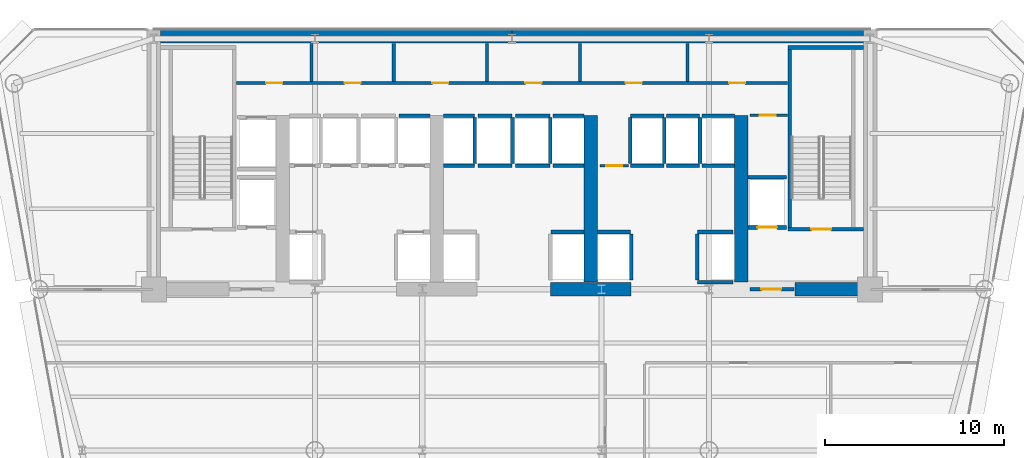
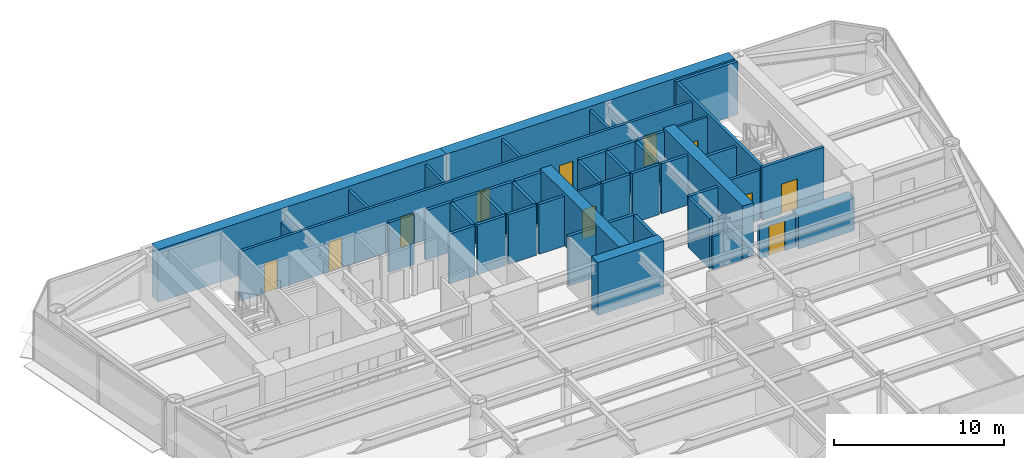
# One storey, part 10 of 15: 47 walls, 11 doors, 11 openings.
"""IFC4 building model written with IfcOpenShell, lengths in metres."""

import ifcopenshell
import ifcopenshell.guid

model = None  # the IFC model being written
_history = None  # IfcOwnerHistory: only IFC2X3 demands one
_inside = {}  # id of a spatial element -> (the spatial element, [elements in it])
_under = {}  # id of a project, library or spatial element -> (it, [spatial elements below it])
_declared = {}  # id of a project -> (the project, [libraries it declares])
_typed = {}  # id of a type object -> (the type object, [elements of that type])
_made_of = {}  # id of a material, layer set ... -> (it, [elements and type objects made of it])


def new_model(schema):
    """Start an empty IFC model of exactly this schema.

    Asked for "IFC4X3", IfcOpenShell would pick the latest addendum, in which some entities
    have other attributes; the version numbers below select the first issue.
    IFC2X3 requires an IfcOwnerHistory on every rooted entity: one is made here for all.
    """
    global model, _history
    if schema == "IFC4X3":
        model = ifcopenshell.file(schema_version=(4, 3, 0, 0))
    else:
        model = ifcopenshell.file(schema=schema)
    _inside.clear()
    _under.clear()
    _declared.clear()
    _typed.clear()
    _made_of.clear()
    _history = None
    if model.schema == "IFC2X3":
        org = make("IfcOrganization", Name="unknown")
        user = make(
            "IfcPersonAndOrganization",
            ThePerson=make("IfcPerson", FamilyName="unknown"),
            TheOrganization=org,
        )
        app = make(
            "IfcApplication",
            ApplicationDeveloper=org,
            Version="unknown",
            ApplicationFullName="unknown",
            ApplicationIdentifier="unknown",
        )
        _history = make(
            "IfcOwnerHistory",
            OwningUser=user,
            OwningApplication=app,
            ChangeAction="ADDED",
            CreationDate=0,
        )
    return model


def make(cls, **values):
    """One entity of the class cls with the attributes given. An attribute that is None is left unset."""
    return model.create_entity(
        cls, **{name: value for name, value in values.items() if value is not None}
    )


def rooted(cls, **values):
    """An entity with a GlobalId (a new one), such as an element, a storey or a relation."""
    return make(cls, GlobalId=ifcopenshell.guid.new(), OwnerHistory=_history, **values)


def si_unit(unit_type, name, prefix=None):
    """IfcSIUnit, for example si_unit("LENGTHUNIT", "METRE", prefix="MILLI")."""
    return make("IfcSIUnit", UnitType=unit_type, Prefix=prefix, Name=name)


def assignment(units):
    """IfcUnitAssignment: the units of a project."""
    return None if units is None else make("IfcUnitAssignment", Units=units)


def point(xyz):
    """IfcCartesianPoint."""
    return None if xyz is None else make("IfcCartesianPoint", Coordinates=xyz)


def direction(xyz):
    """IfcDirection."""
    return None if xyz is None else make("IfcDirection", DirectionRatios=xyz)


def frame(location, z_axis=None, x_axis=None):
    """IfcAxis2Placement3D, a coordinate frame: its origin and axes. An axis left out is left unset."""
    return make(
        "IfcAxis2Placement3D",
        Location=point(location),
        Axis=direction(z_axis),
        RefDirection=direction(x_axis),
    )


def frame_2d(location, x_axis=None):
    """IfcAxis2Placement2D, a coordinate frame in the plane: its origin and x axis."""
    return make(
        "IfcAxis2Placement2D", Location=point(location), RefDirection=direction(x_axis)
    )


def origin():
    """The frame at (0, 0, 0) with its axes left unset."""
    return frame((0.0, 0.0, 0.0))


def place(relative_to, where):
    """IfcLocalPlacement: puts the frame where relative to a parent placement (None: the world)."""
    return make(
        "IfcLocalPlacement", PlacementRelTo=relative_to, RelativePlacement=where
    )


def context(
    kind, dimensions, precision=None, world=None, true_north=None, identifier=None
):
    """IfcGeometricRepresentationContext, for example the 3D "Model" context."""
    return make(
        "IfcGeometricRepresentationContext",
        ContextIdentifier=identifier,
        ContextType=kind,
        CoordinateSpaceDimension=dimensions,
        Precision=precision,
        WorldCoordinateSystem=world,
        TrueNorth=true_north,
    )


def subcontext(parent, identifier, kind, view, scale=None):
    """IfcGeometricRepresentationSubContext, for example "Body" below "Model"."""
    return make(
        "IfcGeometricRepresentationSubContext",
        ContextIdentifier=identifier,
        ContextType=kind,
        ParentContext=parent,
        TargetScale=scale,
        TargetView=view,
    )


def project(units=None, contexts=None):
    """IfcProject with its units and contexts."""
    return rooted(
        "IfcProject",
        Name="project",
        RepresentationContexts=contexts,
        UnitsInContext=assignment(units),
    )


def spatial(cls, under=None, at=None, **own):
    """A site, building, storey or space (cls), placed at a placement, below another one or the project."""
    s = rooted(cls, ObjectPlacement=at, **own)
    if under is not None:
        _under.setdefault(under.id(), (under, []))[1].append(s)
    return s


def profile(cls, at=None, kind="AREA", **sizes):
    """A parametric profile (cls). Its sizes go by their IFC names, for example OverallWidth=200.0."""
    return make(cls, ProfileType=kind, Position=at, **sizes)


def rectangle(**sizes):
    """IfcRectangleProfileDef."""
    return profile("IfcRectangleProfileDef", **sizes)


def extrude(swept, where, along, depth):
    """IfcExtrudedAreaSolid: the profile swept, set in the frame where, extruded along a direction by depth."""
    return make(
        "IfcExtrudedAreaSolid",
        SweptArea=swept,
        Position=where,
        ExtrudedDirection=direction(along),
        Depth=depth,
    )


def shape(context_of_items, identifier, shape_type, items):
    """IfcShapeRepresentation: the items that make up one representation, for example the "Body"."""
    return make(
        "IfcShapeRepresentation",
        ContextOfItems=context_of_items,
        RepresentationIdentifier=identifier,
        RepresentationType=shape_type,
        Items=items,
    )


def source(mapping_origin, context_of_items, identifier, shape_type, items):
    """IfcRepresentationMap: a shape defined once, which mapped items show again and again."""
    return make(
        "IfcRepresentationMap",
        MappingOrigin=mapping_origin,
        MappedRepresentation=shape(context_of_items, identifier, shape_type, items),
    )


def transform(
    local_origin,
    x_axis=None,
    y_axis=None,
    z_axis=None,
    scale=None,
    scale2=None,
    scale3=None,
    uniform=True,
):
    """IfcCartesianTransformationOperator3D, or its non-uniform kind. x_axis, y_axis, z_axis: its Axis1, 2, 3."""
    if uniform:
        return make(
            "IfcCartesianTransformationOperator3D",
            Axis1=direction(x_axis),
            Axis2=direction(y_axis),
            LocalOrigin=point(local_origin),
            Scale=scale,
            Axis3=direction(z_axis),
        )
    return make(
        "IfcCartesianTransformationOperator3DnonUniform",
        Axis1=direction(x_axis),
        Axis2=direction(y_axis),
        LocalOrigin=point(local_origin),
        Scale=scale,
        Axis3=direction(z_axis),
        Scale2=scale2,
        Scale3=scale3,
    )


def mapped(mapping_source, mapping_target):
    """IfcMappedItem: shows the shape of a source again, moved by a transform."""
    return make(
        "IfcMappedItem", MappingSource=mapping_source, MappingTarget=mapping_target
    )


def material(Name=None, Category=None):
    """IfcMaterial."""
    return make("IfcMaterial", Name=Name, Category=Category)


def layer(
    of_material, thickness, ventilated=None, Name=None, Category=None, Priority=None
):
    """IfcMaterialLayer: one layer of a wall or slab, of a material (None: an air gap)."""
    return make(
        "IfcMaterialLayer",
        Material=of_material,
        LayerThickness=thickness,
        IsVentilated=ventilated,
        Name=Name,
        Category=Category,
        Priority=Priority,
    )


def layer_set(layers, Name=None):
    """IfcMaterialLayerSet."""
    return make("IfcMaterialLayerSet", MaterialLayers=layers, LayerSetName=Name)


def made_of(thing, what):
    """Note that an element or type object is made of a material, layer set ...; save() writes the relation."""
    if what is not None:
        _made_of.setdefault(what.id(), (what, []))[1].append(thing)
    return thing


def type_object(cls, material=None, **own):
    """A type object (cls), such as IfcWallType, which elements share."""
    return made_of(rooted(cls, **own), material)


def element(
    cls,
    number,
    at=None,
    inside=None,
    cuts=None,
    type_object=None,
    material=None,
    context=None,
    identifier="Body",
    shape_type=None,
    held_by="IfcProductDefinitionShape",
    body=None,
    shapes=None,
    **own,
):
    """One element of the class cls, such as IfcWall. Its Tag is "e" and its number.

    at: its placement. inside: the storey or other place that contains it. cuts: it is an
    opening in that element (IfcRelVoidsElement). A single representation is given by context,
    identifier, shape_type and body (its items); several are given by shapes. held_by: the class
    of the entity that holds the representations. save() writes the other relations.
    """
    e = rooted(cls, Tag="e%d" % number, ObjectPlacement=at, **own)
    if body is not None:
        shapes = [shape(context, identifier, shape_type, body)]
    if shapes is not None:
        e.Representation = make(held_by, Representations=shapes)
    if inside is not None:
        _inside.setdefault(inside.id(), (inside, []))[1].append(e)
    if cuts is not None:
        rooted(
            "IfcRelVoidsElement", RelatingBuildingElement=cuts, RelatedOpeningElement=e
        )
    if type_object is not None:
        _typed.setdefault(type_object.id(), (type_object, []))[1].append(e)
    return made_of(e, material)


def fill(opening, filler):
    """IfcRelFillsElement: the door or window that sits in an opening."""
    return rooted(
        "IfcRelFillsElement",
        RelatingOpeningElement=opening,
        RelatedBuildingElement=filler,
    )


def aggregate(whole, parts):
    """IfcRelAggregates: a whole, such as a stair, and the parts it consists of."""
    return rooted("IfcRelAggregates", RelatingObject=whole, RelatedObjects=parts)


def save(model, path):
    """Write the relations noted so far, then the file.

    IfcRelAggregates (storeys below a building ...), IfcRelContainedInSpatialStructure (elements
    in a storey), IfcRelDefinesByType, IfcRelAssociatesMaterial and IfcRelDeclares: one each for
    every whole, place, type object, material and project.
    """
    for whole, parts in _under.values():
        aggregate(whole, parts)
    for where, things in _inside.values():
        rooted(
            "IfcRelContainedInSpatialStructure",
            RelatedElements=things,
            RelatingStructure=where,
        )
    for kind, things in _typed.values():
        rooted("IfcRelDefinesByType", RelatedObjects=things, RelatingType=kind)
    for what, things in _made_of.values():
        rooted("IfcRelAssociatesMaterial", RelatedObjects=things, RelatingMaterial=what)
    for by, libraries in _declared.values():
        rooted("IfcRelDeclares", RelatingContext=by, RelatedDefinitions=libraries)
    model.write(path)


model = new_model("IFC4")

# Units and contexts
model_context = context("Model", 3, precision=1e-05, world=origin(), true_north=direction((0.0, 1.0)))
body_context = subcontext(model_context, "Body", "Model", "MODEL_VIEW")
ifc_project = project(units=[si_unit("LENGTHUNIT", "METRE"), si_unit("AREAUNIT", "SQUARE_METRE"), si_unit("VOLUMEUNIT", "CUBIC_METRE"), si_unit("PLANEANGLEUNIT", "RADIAN"), si_unit("MASSUNIT", "GRAM", prefix="KILO")], contexts=[model_context])

# Site, building, storey
site_placement = place(None, origin())
site = spatial("IfcSite", under=ifc_project, at=site_placement, CompositionType="ELEMENT")
building_placement = place(site_placement, origin())
building = spatial("IfcBuilding", under=site, at=building_placement, Name="Vaeldorn Concourse Tower", CompositionType="ELEMENT")
storey_placement = place(building_placement, frame((0.0, 0.0, 95.800048828125)))
storey = spatial("IfcBuildingStorey", under=building, at=storey_placement, Name="L24", CompositionType="ELEMENT", Elevation=95.800048828125)

# Walls
ifc_material_1 = material(Name="Concrete C60/75", Category="concrete")
ifc_layer_1 = layer(ifc_material_1, 0.75)
ifc_layer_set_1 = layer_set([ifc_layer_1], Name="Concrete C60/75")
wall_type_1 = type_object("IfcWallType", Name="WL-CORE-750", PredefinedType="SHEAR", material=ifc_layer_set_1)
for number, where, z_axis, x_axis, name in (
    (1, (14.37890625, 50.625, 0.0), (0.0, 0.0, 1.0), (1.0, 0.0, 0.0), "Rear Core Shear Wall L24 N1"),
    (2, (34.001953125, 50.625, 0.0), (0.0, 0.0, 1.0), (1.0, 0.0, 0.0), "Rear Core Shear Wall L24 N2"),
):
    element("IfcWall", number, at=place(storey_placement, frame(where, z_axis=z_axis, x_axis=x_axis)), inside=storey, type_object=wall_type_1, Name=name, PredefinedType="SHEAR", context=body_context, shape_type="SweptSolid", body=[
        extrude(rectangle(XDim=19.619140625, YDim=0.75, at=frame_2d((9.8095703125, 0.0))), origin(), (0.0, 0.0, 1.0), 3.800048828125),
    ])
wall_1_placement = place(storey_placement, frame((36.14990234375, 36.5, 0.0), z_axis=(0.0, 0.0, 1.0), x_axis=(1.0, 0.0, 0.0)))
element("IfcWall", 3, at=wall_1_placement, inside=storey, type_object=wall_type_1, Name="Rear Core Shear Wall L24 S3", PredefinedType="SHEAR", context=body_context, shape_type="SweptSolid", body=[
    extrude(rectangle(XDim=4.5, YDim=0.75, at=frame_2d((2.25, 0.0))), origin(), (0.0, 0.0, 1.0), 3.800048828125),
])
wall_2_placement = place(storey_placement, frame((49.800048828125, 36.5, 0.0), z_axis=(0.0, 0.0, 1.0), x_axis=(1.0, 0.0, 0.0)))
element("IfcWall", 4, at=wall_2_placement, inside=storey, type_object=wall_type_1, Name="Rear Core Shear Wall L24 S4", PredefinedType="SHEAR", context=body_context, shape_type="SweptSolid", body=[
    extrude(rectangle(XDim=3.804931640625, YDim=0.75, at=frame_2d((1.90234375, 0.0))), origin(), (0.0, 0.0, 1.0), 2.3798828125),
])
for number, where, z_axis, x_axis, name in (
    (5, (38.39990234375, 36.89501953125, 0.0), (0.0, 0.0, 1.0), (0.0, 1.0, 0.0), "Rear Core Shear Wall L24 M3"),
    (6, (46.800048828125, 36.89501953125, 0.0), (0.0, 0.0, 1.0), (0.0, 1.0, 0.0), "Rear Core Shear Wall L24 M4"),
):
    element("IfcWall", number, at=place(storey_placement, frame(where, z_axis=z_axis, x_axis=x_axis)), inside=storey, type_object=wall_type_1, Name=name, PredefinedType="SHEAR", context=body_context, shape_type="SweptSolid", body=[
        extrude(rectangle(XDim=9.304931640625, YDim=0.75, at=frame_2d((4.65234375, 0.0))), origin(), (0.0, 0.0, 1.0), 3.800048828125),
    ])

# Wall, opening, door
ifc_material_2 = material(Name="Gypsum Board Partition", Category="gypsum")
ifc_layer_2 = layer(ifc_material_2, 0.14990234375)
ifc_layer_set_2 = layer_set([ifc_layer_2], Name="Gypsum Board Partition")
wall_type_2 = type_object("IfcWallType", Name="WL-PART-150", PredefinedType="PARTITIONING", material=ifc_layer_set_2)
wall_3_placement = place(storey_placement, frame((47.280029296875, 46.219970703125, 0.0), z_axis=(0.0, 0.0, 1.0), x_axis=(1.0, 0.0, 0.0)))
wall_3 = element("IfcWall", 7, at=wall_3_placement, inside=storey, type_object=wall_type_2, Name="Interior Wall CW-L24-CRSE-N", PredefinedType="PARTITIONING", context=body_context, shape_type="SweptSolid", body=[
    extrude(rectangle(XDim=2.099853515625, YDim=0.14990234375, at=frame_2d((1.0498046875, 0.0))), origin(), (0.0, 0.0, 1.0), 3.579833984375),
])
opening_1_placement = place(wall_3_placement, frame((0.550048828125, 0.0, 0.0)))
opening_1 = element("IfcOpeningElement", 8, at=opening_1_placement, cuts=wall_3, Name="Opening D-02", PredefinedType="OPENING", context=body_context, shape_type="SweptSolid", body=[
    extrude(rectangle(XDim=0.89990234375, YDim=2.10009765625, at=frame_2d((0.449951171875, 1.050048828125))), frame((0.0, 0.0849609375, 0.0), z_axis=(0.0, -1.0, 0.0), x_axis=(1.0, 0.0, 0.0)), (0.0, 0.0, 1.0), 0.169921875),
])
ifc_material_3 = material(Name="Fire-Rated Timber Leaf", Category="wood")
door_type_1 = type_object("IfcDoorType", Name="DR-FD30-900", OperationType="NOTDEFINED", PredefinedType="DOOR", material=ifc_material_3)
shared_shape_1 = source(origin(), body_context, "Body", "SweptSolid", [
    extrude(rectangle(XDim=0.89990234375, YDim=2.10009765625, at=frame_2d((0.449951171875, 1.050048828125))), frame((0.0, 0.02490234375, 0.0), z_axis=(0.0, -1.0, 0.0), x_axis=(1.0, 0.0, 0.0)), (0.0, 0.0, 1.0), 0.050048828125),
])
door_1_placement = place(opening_1_placement, origin())
door_1 = element("IfcDoor", 9, at=door_1_placement, inside=storey, type_object=door_type_1, Name="Interior Door DR-L24-CRSE", OperationType="SINGLE_SWING_RIGHT", OverallHeight=2.10009765625, OverallWidth=0.89990234375, PredefinedType="DOOR", context=body_context, shape_type="MappedRepresentation", body=[
    mapped(shared_shape_1, transform((0.0, 0.0, 0.0), scale=1.0)),
])
fill(opening_1, door_1)

wall_4_placement = place(storey_placement, frame((38.919921875, 43.39990234375, 0.0), z_axis=(0.0, 0.0, 1.0), x_axis=(1.0, 0.0, 0.0)))
wall_4 = element("IfcWall", 10, at=wall_4_placement, inside=storey, type_object=wall_type_2, Name="Interior Wall CW-L24-CCLINK", PredefinedType="PARTITIONING", context=body_context, shape_type="SweptSolid", body=[
    extrude(rectangle(XDim=1.60009765625, YDim=0.14990234375, at=frame_2d((0.800048828125, 0.0))), origin(), (0.0, 0.0, 1.0), 3.579833984375),
])
opening_2_placement = place(wall_4_placement, frame((0.35009765625, 0.0, 0.0)))
opening_2 = element("IfcOpeningElement", 11, at=opening_2_placement, cuts=wall_4, Name="Opening D-02", PredefinedType="OPENING", context=body_context, shape_type="SweptSolid", body=[
    extrude(rectangle(XDim=0.89990234375, YDim=2.10009765625, at=frame_2d((0.449951171875, 1.050048828125))), frame((0.0, 0.0849609375, 0.0), z_axis=(0.0, -1.0, 0.0), x_axis=(1.0, 0.0, 0.0)), (0.0, 0.0, 1.0), 0.169921875),
])
door_2_placement = place(opening_2_placement, origin())
door_2 = element("IfcDoor", 12, at=door_2_placement, inside=storey, type_object=door_type_1, Name="Interior Door DR-L24-CCLINK", OperationType="SINGLE_SWING_LEFT", OverallHeight=2.10009765625, OverallWidth=0.89990234375, PredefinedType="DOOR", context=body_context, shape_type="MappedRepresentation", body=[
    mapped(shared_shape_1, transform((0.0, 0.0, 0.0), scale=1.0)),
])
fill(opening_2, door_2)

# Wall, openings, doors
ifc_layer_3 = layer(ifc_material_2, 0.179931640625)
ifc_layer_set_3 = layer_set([ifc_layer_3], Name="Gypsum Board Partition")
wall_type_3 = type_object("IfcWallType", Name="WL-PLUMB-180", PredefinedType="PLUMBINGWALL", material=ifc_layer_set_3)
wall_5_placement = place(storey_placement, frame((18.6201171875, 48.02001953125, 0.0), z_axis=(0.0, 0.0, 1.0), x_axis=(1.0, 0.0, 0.0)))
wall_5 = element("IfcWall", 13, at=wall_5_placement, inside=storey, type_object=wall_type_3, Name="Interior Wall CW-L24-NS3", PredefinedType="PLUMBINGWALL", context=body_context, shape_type="SweptSolid", body=[
    extrude(rectangle(XDim=30.759765625, YDim=0.179931640625, at=frame_2d((15.3798828125, 0.0))), origin(), (0.0, 0.0, 1.0), 3.579833984375),
])
opening_3_placement = place(wall_5_placement, frame((1.655029296875, 0.0, 0.0)))
opening_3 = element("IfcOpeningElement", 14, at=opening_3_placement, cuts=wall_5, Name="Opening D-03", PredefinedType="OPENING", context=body_context, shape_type="SweptSolid", body=[
    extrude(rectangle(XDim=0.89990234375, YDim=2.14990234375, at=frame_2d((0.449951171875, 1.074951171875))), frame((0.0, 0.10009765625, 0.0), z_axis=(0.0, -1.0, 0.0), x_axis=(1.0, 0.0, 0.0)), (0.0, 0.0, 1.0), 0.199951171875),
])
opening_4_placement = place(wall_5_placement, frame((6.030029296875, 0.0, 0.0)))
opening_4 = element("IfcOpeningElement", 15, at=opening_4_placement, cuts=wall_5, Name="Opening D-03", PredefinedType="OPENING", context=body_context, shape_type="SweptSolid", body=[
    extrude(rectangle(XDim=0.89990234375, YDim=2.14990234375, at=frame_2d((0.449951171875, 1.074951171875))), frame((0.0, 0.10009765625, 0.0), z_axis=(0.0, -1.0, 0.0), x_axis=(1.0, 0.0, 0.0)), (0.0, 0.0, 1.0), 0.199951171875),
])
opening_5_placement = place(wall_5_placement, frame((10.929931640625, 0.0, 0.0)))
opening_5 = element("IfcOpeningElement", 16, at=opening_5_placement, cuts=wall_5, Name="Opening D-03", PredefinedType="OPENING", context=body_context, shape_type="SweptSolid", body=[
    extrude(rectangle(XDim=0.89990234375, YDim=2.14990234375, at=frame_2d((0.449951171875, 1.074951171875))), frame((0.0, 0.10009765625, 0.0), z_axis=(0.0, -1.0, 0.0), x_axis=(1.0, 0.0, 0.0)), (0.0, 0.0, 1.0), 0.199951171875),
])
opening_6_placement = place(wall_5_placement, frame((16.1298828125, 0.0, 0.0)))
opening_6 = element("IfcOpeningElement", 17, at=opening_6_placement, cuts=wall_5, Name="Opening D-03", PredefinedType="OPENING", context=body_context, shape_type="SweptSolid", body=[
    extrude(rectangle(XDim=0.89990234375, YDim=2.14990234375, at=frame_2d((0.449951171875, 1.074951171875))), frame((0.0, 0.10009765625, 0.0), z_axis=(0.0, -1.0, 0.0), x_axis=(1.0, 0.0, 0.0)), (0.0, 0.0, 1.0), 0.199951171875),
])
opening_7_placement = place(wall_5_placement, frame((21.72998046875, 0.0, 0.0)))
opening_7 = element("IfcOpeningElement", 18, at=opening_7_placement, cuts=wall_5, Name="Opening D-03", PredefinedType="OPENING", context=body_context, shape_type="SweptSolid", body=[
    extrude(rectangle(XDim=0.89990234375, YDim=2.14990234375, at=frame_2d((0.449951171875, 1.074951171875))), frame((0.0, 0.10009765625, 0.0), z_axis=(0.0, -1.0, 0.0), x_axis=(1.0, 0.0, 0.0)), (0.0, 0.0, 1.0), 0.199951171875),
])
opening_8_placement = place(wall_5_placement, frame((27.5048828125, 0.0, 0.0)))
opening_8 = element("IfcOpeningElement", 19, at=opening_8_placement, cuts=wall_5, Name="Opening D-03", PredefinedType="OPENING", context=body_context, shape_type="SweptSolid", body=[
    extrude(rectangle(XDim=0.89990234375, YDim=2.14990234375, at=frame_2d((0.449951171875, 1.074951171875))), frame((0.0, 0.10009765625, 0.0), z_axis=(0.0, -1.0, 0.0), x_axis=(1.0, 0.0, 0.0)), (0.0, 0.0, 1.0), 0.199951171875),
])
ifc_material_4 = material(Name="Acoustic Bronze-Framed Glass Door", Category="glass")
door_type_2 = type_object("IfcDoorType", Name="DR-INT-900", OperationType="NOTDEFINED", PredefinedType="DOOR", material=ifc_material_4)
shared_shape_2 = source(origin(), body_context, "Body", "SweptSolid", [
    extrude(rectangle(XDim=0.89990234375, YDim=2.14990234375, at=frame_2d((0.449951171875, 1.074951171875))), frame((0.0, 0.02490234375, 0.0), z_axis=(0.0, -1.0, 0.0), x_axis=(1.0, 0.0, 0.0)), (0.0, 0.0, 1.0), 0.050048828125),
])
door_3_placement = place(opening_3_placement, origin())
door_3 = element("IfcDoor", 20, at=door_3_placement, inside=storey, type_object=door_type_2, Name="Interior Door DR-L24-CS1", OperationType="SINGLE_SWING_LEFT", OverallHeight=2.14990234375, OverallWidth=0.89990234375, PredefinedType="DOOR", context=body_context, shape_type="MappedRepresentation", body=[
    mapped(shared_shape_2, transform((0.0, 0.0, 0.0), scale=1.0)),
])
fill(opening_3, door_3)
door_4_placement = place(opening_4_placement, origin())
door_4 = element("IfcDoor", 21, at=door_4_placement, inside=storey, type_object=door_type_2, Name="Interior Door DR-L24-CS2", OperationType="SINGLE_SWING_RIGHT", OverallHeight=2.14990234375, OverallWidth=0.89990234375, PredefinedType="DOOR", context=body_context, shape_type="MappedRepresentation", body=[
    mapped(shared_shape_2, transform((0.0, 0.0, 0.0), scale=1.0)),
])
fill(opening_4, door_4)
door_5_placement = place(opening_5_placement, origin())
door_5 = element("IfcDoor", 22, at=door_5_placement, inside=storey, type_object=door_type_2, Name="Interior Door DR-L24-CS3", OperationType="SINGLE_SWING_LEFT", OverallHeight=2.14990234375, OverallWidth=0.89990234375, PredefinedType="DOOR", context=body_context, shape_type="MappedRepresentation", body=[
    mapped(shared_shape_2, transform((0.0, 0.0, 0.0), scale=1.0)),
])
fill(opening_5, door_5)
door_6_placement = place(opening_6_placement, origin())
door_6 = element("IfcDoor", 23, at=door_6_placement, inside=storey, type_object=door_type_2, Name="Interior Door DR-L24-CS4", OperationType="SINGLE_SWING_RIGHT", OverallHeight=2.14990234375, OverallWidth=0.89990234375, PredefinedType="DOOR", context=body_context, shape_type="MappedRepresentation", body=[
    mapped(shared_shape_2, transform((0.0, 0.0, 0.0), scale=1.0)),
])
fill(opening_6, door_6)
door_7_placement = place(opening_7_placement, origin())
door_7 = element("IfcDoor", 24, at=door_7_placement, inside=storey, type_object=door_type_2, Name="Interior Door DR-L24-CS5", OperationType="SINGLE_SWING_LEFT", OverallHeight=2.14990234375, OverallWidth=0.89990234375, PredefinedType="DOOR", context=body_context, shape_type="MappedRepresentation", body=[
    mapped(shared_shape_2, transform((0.0, 0.0, 0.0), scale=1.0)),
])
fill(opening_7, door_7)
door_8_placement = place(opening_8_placement, origin())
door_8 = element("IfcDoor", 25, at=door_8_placement, inside=storey, type_object=door_type_2, Name="Interior Door DR-L24-CS6", OperationType="SINGLE_SWING_RIGHT", OverallHeight=2.14990234375, OverallWidth=0.89990234375, PredefinedType="DOOR", context=body_context, shape_type="MappedRepresentation", body=[
    mapped(shared_shape_2, transform((0.0, 0.0, 0.0), scale=1.0)),
])
fill(opening_8, door_8)

# Walls
wall_6_placement = place(storey_placement, frame((22.800048828125, 48.10009765625, 0.0), z_axis=(0.0, 0.0, 1.0), x_axis=(0.0, 1.0, 0.0)))
element("IfcWall", 26, at=wall_6_placement, inside=storey, type_object=wall_type_3, Name="Interior Wall CW-L24-NDIV1", PredefinedType="PLUMBINGWALL", context=body_context, shape_type="SweptSolid", body=[
    extrude(rectangle(XDim=2.1298828125, YDim=0.179931640625, at=frame_2d((1.06494140625, 0.0))), origin(), (0.0, 0.0, 1.0), 2.869873046875),
])
for number, where, z_axis, x_axis, name in (
    (27, (27.39990234375, 48.10009765625, 0.0), (0.0, 0.0, 1.0), (0.0, 1.0, 0.0), "Interior Wall CW-L24-NDIV2"),
    (28, (32.60009765625, 48.10009765625, 0.0), (0.0, 0.0, 1.0), (0.0, 1.0, 0.0), "Interior Wall CW-L24-NDIV3"),
    (29, (37.800048828125, 48.10009765625, 0.0), (0.0, 0.0, 1.0), (0.0, 1.0, 0.0), "Interior Wall CW-L24-NDIV4"),
    (30, (43.800048828125, 48.10009765625, 0.0), (0.0, 0.0, 1.0), (0.0, 1.0, 0.0), "Interior Wall CW-L24-NDIV5"),
):
    element("IfcWall", number, at=place(storey_placement, frame(where, z_axis=z_axis, x_axis=x_axis)), inside=storey, type_object=wall_type_3, Name=name, PredefinedType="PLUMBINGWALL", context=body_context, shape_type="SweptSolid", body=[
        extrude(rectangle(XDim=2.1298828125, YDim=0.179931640625, at=frame_2d((1.06494140625, 0.0))), origin(), (0.0, 0.0, 1.0), 3.579833984375),
    ])

# Wall, opening, door
ifc_material_5 = material(Name="Concrete C50/60", Category="concrete")
ifc_layer_4 = layer(ifc_material_5, 0.199951171875)
ifc_layer_set_4 = layer_set([ifc_layer_4], Name="Concrete C50/60")
wall_type_4 = type_object("IfcWallType", Name="WL-SHAFT-200", PredefinedType="SOLIDWALL", material=ifc_layer_set_4)
wall_7_placement = place(storey_placement, frame((49.39990234375, 39.85009765625, 0.0), z_axis=(0.0, 0.0, 1.0), x_axis=(1.0, 0.0, 0.0)))
wall_7 = element("IfcWall", 31, at=wall_7_placement, inside=storey, type_object=wall_type_4, Name="Stair Shaft Wall CW-L24-ST-2-S", PredefinedType="SOLIDWALL", context=body_context, shape_type="SweptSolid", body=[
    extrude(rectangle(XDim=4.22509765625, YDim=0.199951171875, at=frame_2d((2.112548828125, 0.0))), origin(), (0.0, 0.0, 1.0), 3.800048828125),
])
opening_9_placement = place(wall_7_placement, frame((1.324951171875, 0.0, 0.0)))
opening_9 = element("IfcOpeningElement", 32, at=opening_9_placement, cuts=wall_7, Name="Opening D-01", PredefinedType="OPENING", context=body_context, shape_type="SweptSolid", body=[
    extrude(rectangle(XDim=1.10009765625, YDim=2.14990234375, at=frame_2d((0.550048828125, 1.074951171875))), frame((0.0, 0.10986328125, 0.0), z_axis=(0.0, -1.0, 0.0), x_axis=(1.0, 0.0, 0.0)), (0.0, 0.0, 1.0), 0.219970703125),
])
ifc_material_6 = material(Name="Fire-Rated Timber and Steel Leaf", Category="steel")
door_type_3 = type_object("IfcDoorType", Name="DR-FD60-1100", OperationType="NOTDEFINED", PredefinedType="DOOR", material=ifc_material_6)
shared_shape_3 = source(origin(), body_context, "Body", "SweptSolid", [
    extrude(rectangle(XDim=1.10009765625, YDim=2.14990234375, at=frame_2d((0.550048828125, 1.074951171875))), frame((0.0, 0.02490234375, 0.0), z_axis=(0.0, -1.0, 0.0), x_axis=(1.0, 0.0, 0.0)), (0.0, 0.0, 1.0), 0.050048828125),
])
door_9_placement = place(opening_9_placement, origin())
door_9 = element("IfcDoor", 33, at=door_9_placement, inside=storey, type_object=door_type_3, Name="Interior Door DR-L24-ST-2", OperationType="SINGLE_SWING_RIGHT", OverallHeight=2.14990234375, OverallWidth=1.10009765625, PredefinedType="DOOR", context=body_context, shape_type="MappedRepresentation", body=[
    mapped(shared_shape_3, transform((0.0, 0.0, 0.0), scale=1.0)),
])
fill(opening_9, door_9)

# Walls
wall_8_placement = place(storey_placement, frame((49.39990234375, 50.0, 0.0), z_axis=(0.0, 0.0, 1.0), x_axis=(1.0, 0.0, 0.0)))
element("IfcWall", 34, at=wall_8_placement, inside=storey, type_object=wall_type_4, Name="Stair Shaft Wall CW-L24-ST-2-N", PredefinedType="SOLIDWALL", context=body_context, shape_type="SweptSolid", body=[
    extrude(rectangle(XDim=4.22509765625, YDim=0.199951171875, at=frame_2d((2.112548828125, 0.0))), origin(), (0.0, 0.0, 1.0), 3.800048828125),
])
wall_9_placement = place(storey_placement, frame((49.5, 39.9599609375, 0.0), z_axis=(0.0, 0.0, 1.0), x_axis=(0.0, 1.0, 0.0)))
element("IfcWall", 35, at=wall_9_placement, inside=storey, type_object=wall_type_4, Name="Stair Shaft Wall CW-L24-ST-2-W", PredefinedType="SOLIDWALL", context=body_context, shape_type="SweptSolid", body=[
    extrude(rectangle(XDim=9.929931640625, YDim=0.199951171875, at=frame_2d((4.96484375, 0.0))), origin(), (0.0, 0.0, 1.0), 3.800048828125),
])

# Wall, opening, door
wall_10_placement = place(storey_placement, frame((47.280029296875, 36.5, 0.0), z_axis=(0.0, 0.0, 1.0), x_axis=(1.0, 0.0, 0.0)))
wall_10 = element("IfcWall", 36, at=wall_10_placement, inside=storey, type_object=wall_type_4, Name="Interior Wall CW-L24-FF2S", PredefinedType="SOLIDWALL", context=body_context, shape_type="SweptSolid", body=[
    extrude(rectangle(XDim=2.469970703125, YDim=0.199951171875, at=frame_2d((1.23486328125, 0.0))), origin(), (0.0, 0.0, 1.0), 2.369873046875),
])
opening_10_placement = place(wall_10_placement, frame((0.64990234375, 0.0, 0.0)))
opening_10 = element("IfcOpeningElement", 37, at=opening_10_placement, cuts=wall_10, Name="Opening D-01", PredefinedType="OPENING", context=body_context, shape_type="SweptSolid", body=[
    extrude(rectangle(XDim=1.10009765625, YDim=2.14990234375, at=frame_2d((0.550048828125, 1.074951171875))), frame((0.0, 0.10986328125, 0.0), z_axis=(0.0, -1.0, 0.0), x_axis=(1.0, 0.0, 0.0)), (0.0, 0.0, 1.0), 0.219970703125),
])
door_10_placement = place(opening_10_placement, origin())
door_10 = element("IfcDoor", 38, at=door_10_placement, inside=storey, type_object=door_type_3, Name="Interior Door DR-L24-FF2W", OperationType="SINGLE_SWING_LEFT", OverallHeight=2.14990234375, OverallWidth=1.10009765625, PredefinedType="DOOR", context=body_context, shape_type="MappedRepresentation", body=[
    mapped(shared_shape_3, transform((0.0, 0.0, 0.0), scale=1.0)),
])
fill(opening_10, door_10)

# Walls
wall_11_placement = place(storey_placement, frame((27.68994140625, 46.199951171875, 0.0), z_axis=(0.0, 0.0, 1.0), x_axis=(1.0, 0.0, 0.0)))
element("IfcWall", 39, at=wall_11_placement, inside=storey, type_object=wall_type_4, Name="Interior Wall CW-L24-LFB-LF-06", PredefinedType="SOLIDWALL", context=body_context, shape_type="SweptSolid", body=[
    extrude(rectangle(XDim=1.72509765625, YDim=0.199951171875, at=frame_2d((0.862548828125, 0.0))), origin(), (0.0, 0.0, 1.0), 3.579833984375),
])
wall_12_placement = place(storey_placement, frame((36.169921875, 39.699951171875, 0.0), z_axis=(0.0, 0.0, 1.0), x_axis=(1.0, 0.0, 0.0)))
element("IfcWall", 40, at=wall_12_placement, inside=storey, type_object=wall_type_4, Name="Interior Wall CW-L24-LF-LF-08", PredefinedType="SOLIDWALL", context=body_context, shape_type="SweptSolid", body=[
    extrude(rectangle(XDim=1.844970703125, YDim=0.199951171875, at=frame_2d((0.92236328125, 0.0))), origin(), (0.0, 0.0, 1.0), 3.579833984375),
])
for number, where, z_axis, x_axis, name in (
    (41, (30.18505859375, 43.39990234375, 0.0), (0.0, 0.0, 1.0), (1.0, 0.0, 0.0), "Interior Wall CW-L24-LF-LF-09"),
    (42, (30.18505859375, 46.199951171875, 0.0), (0.0, 0.0, 1.0), (1.0, 0.0, 0.0), "Interior Wall CW-L24-LFB-LF-09"),
):
    element("IfcWall", number, at=place(storey_placement, frame(where, z_axis=z_axis, x_axis=x_axis)), inside=storey, type_object=wall_type_4, Name=name, PredefinedType="SOLIDWALL", context=body_context, shape_type="SweptSolid", body=[
        extrude(rectangle(XDim=1.724853515625, YDim=0.199951171875, at=frame_2d((0.8623046875, 0.0))), origin(), (0.0, 0.0, 1.0), 3.579833984375),
    ])
wall_13_placement = place(storey_placement, frame((31.929931640625, 43.52001953125, 0.0), z_axis=(0.0, 0.0, 1.0), x_axis=(0.0, 1.0, 0.0)))
element("IfcWall", 43, at=wall_13_placement, inside=storey, type_object=wall_type_4, Name="Interior Wall CW-L24-LFE-LF-09", PredefinedType="SOLIDWALL", context=body_context, shape_type="SweptSolid", body=[
    extrude(rectangle(XDim=2.56005859375, YDim=0.199951171875, at=frame_2d((1.280029296875, 0.0))), origin(), (0.0, 0.0, 1.0), 3.579833984375),
])
for number, where, z_axis, x_axis, name in (
    (44, (32.090087890625, 43.39990234375, 0.0), (0.0, 0.0, 1.0), (1.0, 0.0, 0.0), "Interior Wall CW-L24-LF-LF-10"),
    (45, (32.090087890625, 46.199951171875, 0.0), (0.0, 0.0, 1.0), (1.0, 0.0, 0.0), "Interior Wall CW-L24-LFB-LF-10"),
):
    element("IfcWall", number, at=place(storey_placement, frame(where, z_axis=z_axis, x_axis=x_axis)), inside=storey, type_object=wall_type_4, Name=name, PredefinedType="SOLIDWALL", context=body_context, shape_type="SweptSolid", body=[
        extrude(rectangle(XDim=1.919921875, YDim=0.199951171875, at=frame_2d((0.9599609375, 0.0))), origin(), (0.0, 0.0, 1.0), 3.579833984375),
    ])
wall_14_placement = place(storey_placement, frame((34.030029296875, 43.52001953125, 0.0), z_axis=(0.0, 0.0, 1.0), x_axis=(0.0, 1.0, 0.0)))
element("IfcWall", 46, at=wall_14_placement, inside=storey, type_object=wall_type_4, Name="Interior Wall CW-L24-LFE-LF-10", PredefinedType="SOLIDWALL", context=body_context, shape_type="SweptSolid", body=[
    extrude(rectangle(XDim=2.56005859375, YDim=0.199951171875, at=frame_2d((1.280029296875, 0.0))), origin(), (0.0, 0.0, 1.0), 3.579833984375),
])
for number, where, z_axis, x_axis, name in (
    (47, (34.18994140625, 43.39990234375, 0.0), (0.0, 0.0, 1.0), (1.0, 0.0, 0.0), "Interior Wall CW-L24-LF-LF-11"),
    (48, (34.18994140625, 46.199951171875, 0.0), (0.0, 0.0, 1.0), (1.0, 0.0, 0.0), "Interior Wall CW-L24-LFB-LF-11"),
):
    element("IfcWall", number, at=place(storey_placement, frame(where, z_axis=z_axis, x_axis=x_axis)), inside=storey, type_object=wall_type_4, Name=name, PredefinedType="SOLIDWALL", context=body_context, shape_type="SweptSolid", body=[
        extrude(rectangle(XDim=1.920166015625, YDim=0.199951171875, at=frame_2d((0.9599609375, 0.0))), origin(), (0.0, 0.0, 1.0), 3.579833984375),
    ])
wall_15_placement = place(storey_placement, frame((36.1298828125, 43.52001953125, 0.0), z_axis=(0.0, 0.0, 1.0), x_axis=(0.0, 1.0, 0.0)))
element("IfcWall", 49, at=wall_15_placement, inside=storey, type_object=wall_type_4, Name="Interior Wall CW-L24-LFE-LF-11", PredefinedType="SOLIDWALL", context=body_context, shape_type="SweptSolid", body=[
    extrude(rectangle(XDim=2.56005859375, YDim=0.199951171875, at=frame_2d((1.280029296875, 0.0))), origin(), (0.0, 0.0, 1.0), 3.579833984375),
])
for number, where, z_axis, x_axis, name in (
    (50, (36.2900390625, 43.39990234375, 0.0), (0.0, 0.0, 1.0), (1.0, 0.0, 0.0), "Interior Wall CW-L24-LF-LF-12"),
    (51, (36.2900390625, 46.199951171875, 0.0), (0.0, 0.0, 1.0), (1.0, 0.0, 0.0), "Interior Wall CW-L24-LFB-LF-12"),
):
    element("IfcWall", number, at=place(storey_placement, frame(where, z_axis=z_axis, x_axis=x_axis)), inside=storey, type_object=wall_type_4, Name=name, PredefinedType="SOLIDWALL", context=body_context, shape_type="SweptSolid", body=[
        extrude(rectangle(XDim=1.724853515625, YDim=0.199951171875, at=frame_2d((0.8623046875, 0.0))), origin(), (0.0, 0.0, 1.0), 3.579833984375),
    ])
wall_16_placement = place(storey_placement, frame((38.784912109375, 39.699951171875, 0.0), z_axis=(0.0, 0.0, 1.0), x_axis=(1.0, 0.0, 0.0)))
element("IfcWall", 52, at=wall_16_placement, inside=storey, type_object=wall_type_4, Name="Interior Wall CW-L24-LF-LF-13", PredefinedType="SOLIDWALL", context=body_context, shape_type="SweptSolid", body=[
    extrude(rectangle(XDim=1.844970703125, YDim=0.199951171875, at=frame_2d((0.92236328125, 0.0))), origin(), (0.0, 0.0, 1.0), 3.579833984375),
])
wall_17_placement = place(storey_placement, frame((40.64990234375, 37.02001953125, 0.0), z_axis=(0.0, 0.0, 1.0), x_axis=(0.0, 1.0, 0.0)))
element("IfcWall", 53, at=wall_17_placement, inside=storey, type_object=wall_type_4, Name="Interior Wall CW-L24-LFE-LF-13", PredefinedType="SOLIDWALL", context=body_context, shape_type="SweptSolid", body=[
    extrude(rectangle(XDim=2.56005859375, YDim=0.199951171875, at=frame_2d((1.280029296875, 0.0))), origin(), (0.0, 0.0, 1.0), 3.579833984375),
])
wall_18_placement = place(storey_placement, frame((44.3701171875, 39.699951171875, 0.0), z_axis=(0.0, 0.0, 1.0), x_axis=(1.0, 0.0, 0.0)))
element("IfcWall", 54, at=wall_18_placement, inside=storey, type_object=wall_type_4, Name="Interior Wall CW-L24-LF-LF-14", PredefinedType="SOLIDWALL", context=body_context, shape_type="SweptSolid", body=[
    extrude(rectangle(XDim=1.9599609375, YDim=0.199951171875, at=frame_2d((0.97998046875, 0.0))), origin(), (0.0, 0.0, 1.0), 3.579833984375),
])
wall_19_placement = place(storey_placement, frame((44.3701171875, 36.89990234375, 0.0), z_axis=(0.0, 0.0, 1.0), x_axis=(1.0, 0.0, 0.0)))
element("IfcWall", 55, at=wall_19_placement, inside=storey, type_object=wall_type_4, Name="Interior Wall CW-L24-LFB-LF-14", PredefinedType="SOLIDWALL", context=body_context, shape_type="SweptSolid", body=[
    extrude(rectangle(XDim=1.9599609375, YDim=0.199951171875, at=frame_2d((0.97998046875, 0.0))), origin(), (0.0, 0.0, 1.0), 2.369873046875),
])
wall_20_placement = place(storey_placement, frame((44.35009765625, 37.02001953125, 0.0), z_axis=(0.0, 0.0, 1.0), x_axis=(0.0, 1.0, 0.0)))
element("IfcWall", 56, at=wall_20_placement, inside=storey, type_object=wall_type_4, Name="Interior Wall CW-L24-LFW-LF-14", PredefinedType="SOLIDWALL", context=body_context, shape_type="SweptSolid", body=[
    extrude(rectangle(XDim=2.56005859375, YDim=0.199951171875, at=frame_2d((1.280029296875, 0.0))), origin(), (0.0, 0.0, 1.0), 3.579833984375),
])
for number, where, z_axis, x_axis, name in (
    (57, (40.6201171875, 43.39990234375, 0.0), (0.0, 0.0, 1.0), (1.0, 0.0, 0.0), "Interior Wall CW-L24-LF-LF-15"),
    (58, (40.6201171875, 46.199951171875, 0.0), (0.0, 0.0, 1.0), (1.0, 0.0, 0.0), "Interior Wall CW-L24-LFB-LF-15"),
):
    element("IfcWall", number, at=place(storey_placement, frame(where, z_axis=z_axis, x_axis=x_axis)), inside=storey, type_object=wall_type_4, Name=name, PredefinedType="SOLIDWALL", context=body_context, shape_type="SweptSolid", body=[
        extrude(rectangle(XDim=1.85986328125, YDim=0.199951171875, at=frame_2d((0.929931640625, 0.0))), origin(), (0.0, 0.0, 1.0), 3.579833984375),
    ])
for number, where, z_axis, x_axis, name in (
    (59, (40.60009765625, 43.52001953125, 0.0), (0.0, 0.0, 1.0), (0.0, 1.0, 0.0), "Interior Wall CW-L24-LFW-LF-15"),
    (60, (42.5, 43.52001953125, 0.0), (0.0, 0.0, 1.0), (0.0, 1.0, 0.0), "Interior Wall CW-L24-LFE-LF-15"),
):
    element("IfcWall", number, at=place(storey_placement, frame(where, z_axis=z_axis, x_axis=x_axis)), inside=storey, type_object=wall_type_4, Name=name, PredefinedType="SOLIDWALL", context=body_context, shape_type="SweptSolid", body=[
        extrude(rectangle(XDim=2.56005859375, YDim=0.199951171875, at=frame_2d((1.280029296875, 0.0))), origin(), (0.0, 0.0, 1.0), 3.579833984375),
    ])
for number, where, z_axis, x_axis, name in (
    (61, (42.6201171875, 43.39990234375, 0.0), (0.0, 0.0, 1.0), (1.0, 0.0, 0.0), "Interior Wall CW-L24-LF-LF-16"),
    (62, (42.6201171875, 46.199951171875, 0.0), (0.0, 0.0, 1.0), (1.0, 0.0, 0.0), "Interior Wall CW-L24-LFB-LF-16"),
):
    element("IfcWall", number, at=place(storey_placement, frame(where, z_axis=z_axis, x_axis=x_axis)), inside=storey, type_object=wall_type_4, Name=name, PredefinedType="SOLIDWALL", context=body_context, shape_type="SweptSolid", body=[
        extrude(rectangle(XDim=1.85986328125, YDim=0.199951171875, at=frame_2d((0.929931640625, 0.0))), origin(), (0.0, 0.0, 1.0), 3.579833984375),
    ])
wall_21_placement = place(storey_placement, frame((44.5, 43.52001953125, 0.0), z_axis=(0.0, 0.0, 1.0), x_axis=(0.0, 1.0, 0.0)))
element("IfcWall", 63, at=wall_21_placement, inside=storey, type_object=wall_type_4, Name="Interior Wall CW-L24-LFE-LF-16", PredefinedType="SOLIDWALL", context=body_context, shape_type="SweptSolid", body=[
    extrude(rectangle(XDim=2.56005859375, YDim=0.199951171875, at=frame_2d((1.280029296875, 0.0))), origin(), (0.0, 0.0, 1.0), 3.579833984375),
])
for number, where, z_axis, x_axis, name in (
    (64, (44.6201171875, 43.39990234375, 0.0), (0.0, 0.0, 1.0), (1.0, 0.0, 0.0), "Interior Wall CW-L24-LF-LF-17"),
    (65, (44.6201171875, 46.199951171875, 0.0), (0.0, 0.0, 1.0), (1.0, 0.0, 0.0), "Interior Wall CW-L24-LFB-LF-17"),
):
    element("IfcWall", number, at=place(storey_placement, frame(where, z_axis=z_axis, x_axis=x_axis)), inside=storey, type_object=wall_type_4, Name=name, PredefinedType="SOLIDWALL", context=body_context, shape_type="SweptSolid", body=[
        extrude(rectangle(XDim=1.794921875, YDim=0.199951171875, at=frame_2d((0.8974609375, 0.0))), origin(), (0.0, 0.0, 1.0), 3.579833984375),
    ])

# Wall, opening, door
wall_22_placement = place(storey_placement, frame((47.18505859375, 39.949951171875, 0.0), z_axis=(0.0, 0.0, 1.0), x_axis=(1.0, 0.0, 0.0)))
wall_22 = element("IfcWall", 66, at=wall_22_placement, inside=storey, type_object=wall_type_4, Name="Interior Wall CW-L24-LF-LF-FF2", PredefinedType="SOLIDWALL", context=body_context, shape_type="SweptSolid", body=[
    extrude(rectangle(XDim=2.14501953125, YDim=0.199951171875, at=frame_2d((1.072509765625, 0.0))), origin(), (0.0, 0.0, 1.0), 3.579833984375),
])
opening_11_placement = place(wall_22_placement, frame((0.52197265625, 0.0, 0.0)))
opening_11 = element("IfcOpeningElement", 67, at=opening_11_placement, cuts=wall_22, Name="Opening LD-1", PredefinedType="OPENING", context=body_context, shape_type="SweptSolid", body=[
    extrude(rectangle(XDim=1.10009765625, YDim=2.14990234375, at=frame_2d((0.550048828125, 1.074951171875))), frame((0.0, 0.10986328125, 0.0), z_axis=(0.0, -1.0, 0.0), x_axis=(1.0, 0.0, 0.0)), (0.0, 0.0, 1.0), 0.219970703125),
])
ifc_material_7 = material(Name="Anodised Bronze Aluminium", Category="aluminium")
door_type_4 = type_object("IfcDoorType", Name="DR-LIFT-SLIDE-1100", OperationType="DOUBLE_DOOR_SLIDING", PredefinedType="DOOR", material=ifc_material_7)
door_11_placement = place(opening_11_placement, origin())
door_11 = element("IfcDoor", 68, at=door_11_placement, inside=storey, type_object=door_type_4, Name="Lift Landing Door LD-L24-LF-FF2", OperationType="DOUBLE_DOOR_SLIDING", OverallHeight=2.14990234375, OverallWidth=1.10009765625, PredefinedType="DOOR", context=body_context, shape_type="MappedRepresentation", body=[
    mapped(shared_shape_3, transform((0.0, 0.0, 0.0), scale=1.0)),
])
fill(opening_11, door_11)

# Wall
wall_23_placement = place(storey_placement, frame((47.18505859375, 42.75, 0.0), z_axis=(0.0, 0.0, 1.0), x_axis=(1.0, 0.0, 0.0)))
element("IfcWall", 69, at=wall_23_placement, inside=storey, type_object=wall_type_4, Name="Interior Wall CW-L24-LFB-LF-FF2", PredefinedType="SOLIDWALL", context=body_context, shape_type="SweptSolid", body=[
    extrude(rectangle(XDim=2.14501953125, YDim=0.199951171875, at=frame_2d((1.072509765625, 0.0))), origin(), (0.0, 0.0, 1.0), 3.579833984375),
])

save(model, "model.ifc")
